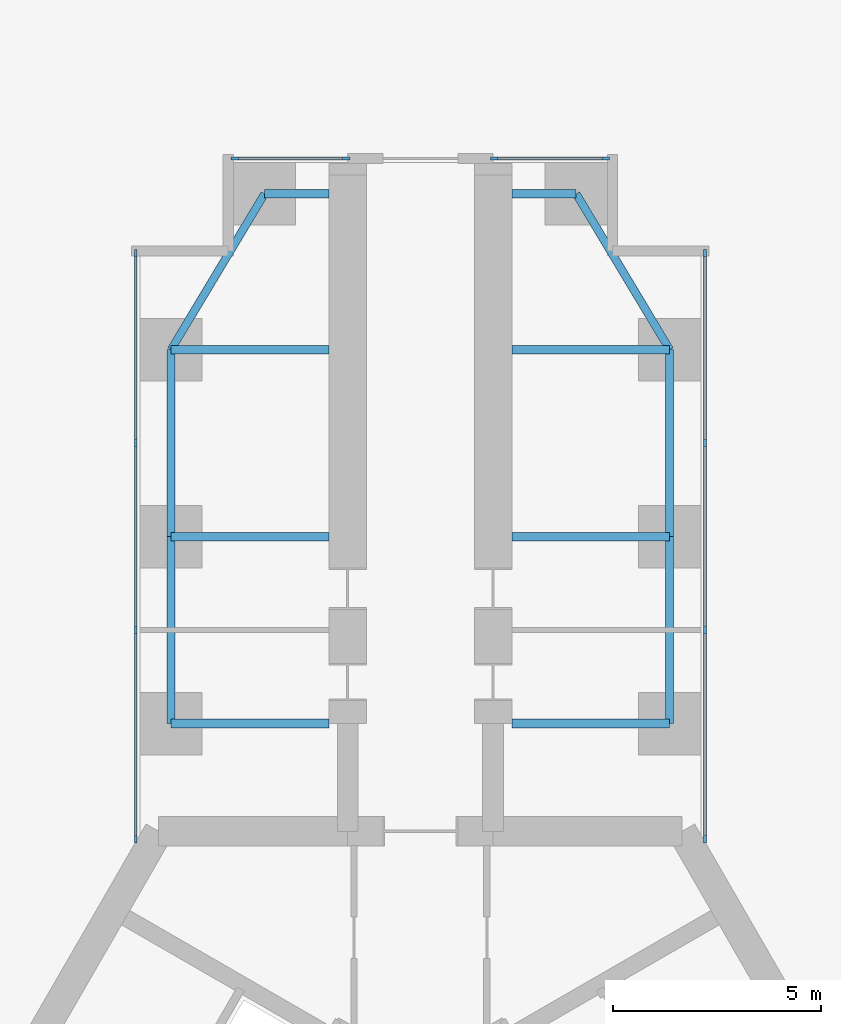
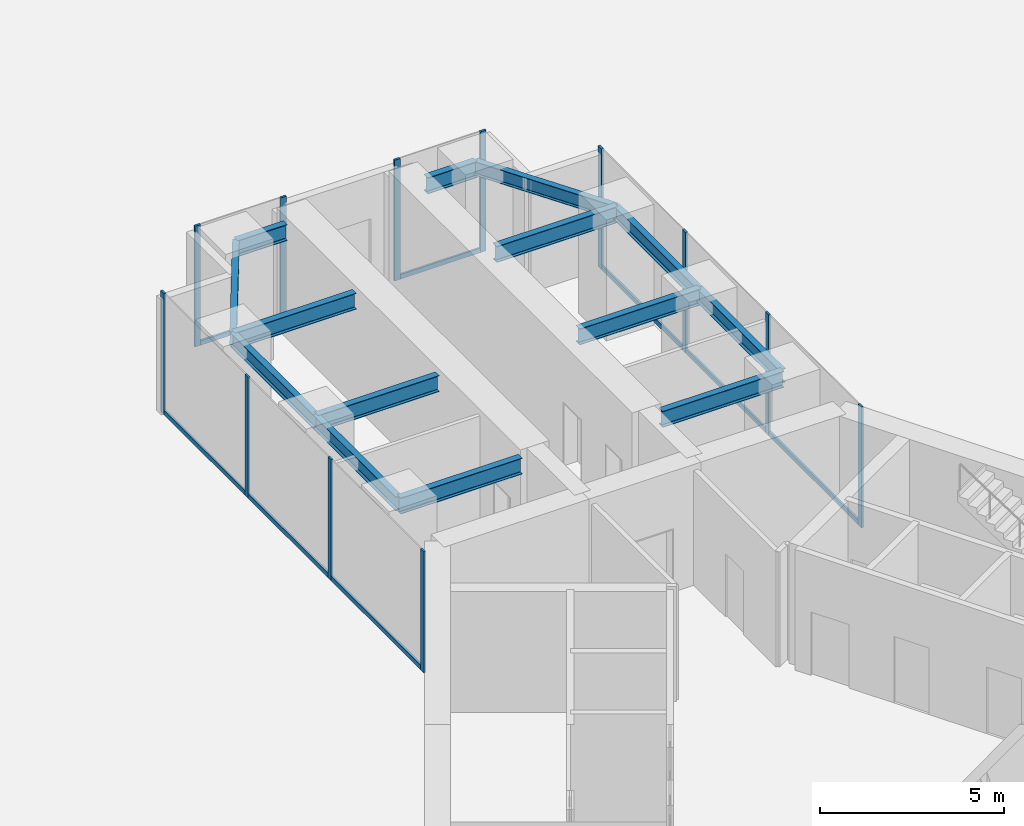
# One storey, part 9 of 23: 20 members, 14 beams, 4 elements without a shape of their own.
"""IFC4 building model written with IfcOpenShell, lengths in metres."""

from ifc_helpers import new_model, si_unit, direction, frame, origin, origin_2d, place, context, subcontext, project, spatial, rectangle, i_section, extrude, material, material_profile, profile_set, type_object, element, aggregate, save


model = new_model("IFC4")

# Units and contexts
model_context = context("Model", 3, precision=1e-05, world=origin(), true_north=direction((0.0, 1.0)))
body_context = subcontext(model_context, "Body", "Model", "MODEL_VIEW")
ifc_project = project(units=[si_unit("LENGTHUNIT", "METRE"), si_unit("AREAUNIT", "SQUARE_METRE"), si_unit("VOLUMEUNIT", "CUBIC_METRE"), si_unit("PLANEANGLEUNIT", "RADIAN"), si_unit("MASSUNIT", "GRAM", prefix="KILO")], contexts=[model_context])

# Site, building, storey
site_placement = place(None, origin())
site = spatial("IfcSite", under=ifc_project, at=site_placement, CompositionType="ELEMENT")
building_placement = place(site_placement, origin())
building = spatial("IfcBuilding", under=site, at=building_placement, Name="Upepo Twin Towers", CompositionType="ELEMENT")
storey_placement = place(building_placement, frame((0.0, 0.0, 20.5)))
storey = spatial("IfcBuildingStorey", under=building, at=storey_placement, Name="L04", CompositionType="ELEMENT", Elevation=20.5)

# Beams
ifc_material_1 = material(Name="Steel S355", Category="steel")
ifc_material_profile_1 = material_profile(ifc_material_1, i_section(OverallWidth=0.1904296875, OverallDepth=0.45703125, WebThickness=0.009033203125, FlangeThickness=0.014404296875, FilletRadius=0.01025390625, at=origin_2d()), Name="UB 457x191x74")
ifc_profile_set_1 = profile_set([ifc_material_profile_1], Name="Steel S355")
beam_type_1 = type_object("IfcBeamType", Name="Beam UB 457x191x74", PredefinedType="BEAM", material=ifc_profile_set_1)
for number, where, z_axis, x_axis, name in (
    (1, (52.5, -4.5, 3.571533203125), (0.0, 1.0, 0.0), (-1.0, 0.0, 0.0), "T2 edge beam AL 13.5-18.0"),
    (2, (52.5, 0.0, 3.571533203125), (0.0, 1.0, 0.0), (-1.0, 0.0, 0.0), "T2 edge beam AL 18.0-22.5"),
):
    element("IfcBeam", number, at=place(storey_placement, frame(where, z_axis=z_axis, x_axis=x_axis)), inside=storey, type_object=beam_type_1, Name=name, PredefinedType="BEAM", context=body_context, shape_type="SweptSolid", body=[
        extrude(i_section(OverallWidth=0.1904296875, OverallDepth=0.45703125, WebThickness=0.009033203125, FlangeThickness=0.014404296875, FilletRadius=0.01025390625, at=origin_2d()), origin(), (0.0, 0.0, 1.0), 4.5),
    ])
beam_1_placement = place(storey_placement, frame((52.5, 4.5, 3.571533203125), z_axis=(0.514495755428, 0.857492925713, 0.0), x_axis=(-0.857492925713, 0.514495755428, 0.0)))
element("IfcBeam", 3, at=beam_1_placement, inside=storey, type_object=beam_type_1, Name="T2 nose edge beam AL", PredefinedType="BEAM", context=body_context, shape_type="SweptSolid", body=[
    extrude(i_section(OverallWidth=0.1904296875, OverallDepth=0.45703125, WebThickness=0.009033203125, FlangeThickness=0.014404296875, FilletRadius=0.01025390625, at=origin_2d()), origin(), (0.0, 0.0, 1.0), 4.373291015625),
])
for number, where, z_axis, x_axis, name in (
    (4, (64.5, -4.5, 3.571533203125), (0.0, 1.0, 0.0), (-1.0, 0.0, 0.0), "T2 edge beam AR 13.5-18.0"),
    (5, (64.5, 0.0, 3.571533203125), (0.0, 1.0, 0.0), (-1.0, 0.0, 0.0), "T2 edge beam AR 18.0-22.5"),
):
    element("IfcBeam", number, at=place(storey_placement, frame(where, z_axis=z_axis, x_axis=x_axis)), inside=storey, type_object=beam_type_1, Name=name, PredefinedType="BEAM", context=body_context, shape_type="SweptSolid", body=[
        extrude(i_section(OverallWidth=0.1904296875, OverallDepth=0.45703125, WebThickness=0.009033203125, FlangeThickness=0.014404296875, FilletRadius=0.01025390625, at=origin_2d()), origin(), (0.0, 0.0, 1.0), 4.5),
    ])
beam_2_placement = place(storey_placement, frame((64.5, 4.5, 3.571533203125), z_axis=(-0.514495755428, 0.857492925713, 0.0), x_axis=(-0.857492925713, -0.514495755428, 0.0)))
element("IfcBeam", 6, at=beam_2_placement, inside=storey, type_object=beam_type_1, Name="T2 nose edge beam AR", PredefinedType="BEAM", context=body_context, shape_type="SweptSolid", body=[
    extrude(i_section(OverallWidth=0.1904296875, OverallDepth=0.45703125, WebThickness=0.009033203125, FlangeThickness=0.014404296875, FilletRadius=0.01025390625, at=origin_2d()), origin(), (0.0, 0.0, 1.0), 4.373291015625),
])
ifc_material_2 = material(Name="Steel S355", Category="steel")
ifc_material_profile_2 = material_profile(ifc_material_2, i_section(OverallWidth=0.2099609375, OverallDepth=0.53662109375, WebThickness=0.0107421875, FlangeThickness=0.017333984375, FilletRadius=0.0126953125, at=origin_2d()), Name="UB 533x210x101")
ifc_profile_set_2 = profile_set([ifc_material_profile_2], Name="Steel S355")
beam_type_2 = type_object("IfcBeamType", Name="Beam UB 533x210x101", PredefinedType="BEAM", material=ifc_profile_set_2)
for number, where, z_axis, x_axis, name in (
    (7, (54.75, 8.25, 3.53173828125), (1.0, 0.0, 0.0), (0.0, 1.0, 0.0), "T2 nose beam AL"),
    (8, (62.25, 8.25, 3.53173828125), (-1.0, 0.0, 0.0), (0.0, -1.0, 0.0), "T2 nose beam AR"),
):
    element("IfcBeam", number, at=place(storey_placement, frame(where, z_axis=z_axis, x_axis=x_axis)), inside=storey, type_object=beam_type_2, Name=name, PredefinedType="BEAM", context=body_context, shape_type="SweptSolid", body=[
        extrude(i_section(OverallWidth=0.2099609375, OverallDepth=0.53662109375, WebThickness=0.0107421875, FlangeThickness=0.017333984375, FilletRadius=0.0126953125, at=origin_2d()), origin(), (0.0, 0.0, 1.0), 1.550048828125),
    ])
ifc_material_3 = material(Name="Steel S355", Category="steel")
ifc_material_profile_3 = material_profile(ifc_material_3, i_section(OverallWidth=0.209228515625, OverallDepth=0.533203125, WebThickness=0.010009765625, FlangeThickness=0.015625, FilletRadius=0.0126953125, at=origin_2d()), Name="UB 533x210x92")
ifc_profile_set_3 = profile_set([ifc_material_profile_3], Name="Steel S355")
beam_type_3 = type_object("IfcBeamType", Name="Beam UB 533x210x92", PredefinedType="BEAM", material=ifc_profile_set_3)
for number, where, z_axis, x_axis, name in (
    (9, (52.5, -4.5, 3.533447265625), (1.0, 0.0, 0.0), (0.0, 1.0, 0.0), "T2 girder AL at 13.5"),
    (10, (52.5, 0.0, 3.533447265625), (1.0, 0.0, 0.0), (0.0, 1.0, 0.0), "T2 girder AL at 18.0"),
    (11, (52.5, 4.5, 3.533447265625), (1.0, 0.0, 0.0), (0.0, 1.0, 0.0), "T2 girder AL at 22.5"),
    (12, (64.5, -4.5, 3.533447265625), (-1.0, 0.0, 0.0), (0.0, -1.0, 0.0), "T2 girder AR at 13.5"),
    (13, (64.5, 0.0, 3.533447265625), (-1.0, 0.0, 0.0), (0.0, -1.0, 0.0), "T2 girder AR at 18.0"),
    (14, (64.5, 4.5, 3.533447265625), (-1.0, 0.0, 0.0), (0.0, -1.0, 0.0), "T2 girder AR at 22.5"),
):
    element("IfcBeam", number, at=place(storey_placement, frame(where, z_axis=z_axis, x_axis=x_axis)), inside=storey, type_object=beam_type_3, Name=name, PredefinedType="BEAM", context=body_context, shape_type="SweptSolid", body=[
        extrude(i_section(OverallWidth=0.209228515625, OverallDepth=0.533203125, WebThickness=0.010009765625, FlangeThickness=0.015625, FilletRadius=0.0126953125, at=origin_2d()), origin(), (0.0, 0.0, 1.0), 3.800048828125),
    ])

# Curtain wall, members
ifc_material_4 = material(Name="Aluminium and fritted glass", Category="aluminium")
curtain_wall_type = type_object("IfcCurtainWallType", Name="Tower curtain wall TW1, fritted glass", PredefinedType="NOTDEFINED", material=ifc_material_4)
curtain_wall_1_placement = place(storey_placement, origin())
curtain_wall_1 = element("IfcCurtainWall", 15, at=curtain_wall_1_placement, inside=storey, type_object=curtain_wall_type, Name="T2 L04 wing A flank L curtain wall", PredefinedType="NOTDEFINED")
ifc_material_5 = material(Name="Aluminium mullion", Category="aluminium")
ifc_material_profile_4 = material_profile(ifc_material_5, rectangle(XDim=0.06494140625, YDim=0.179931640625, at=origin_2d()), Name="MULLION 65x180")
ifc_profile_set_4 = profile_set([ifc_material_profile_4], Name="Aluminium mullion")
member_type_1 = type_object("IfcMemberType", Name="Mullion 65x180 TW1", PredefinedType="MULLION", material=ifc_profile_set_4)
member_1_placement = place(storey_placement, frame((51.64990234375, -7.2802734375, 0.0), z_axis=(0.0, 0.0, 1.0), x_axis=(-1.0, 0.0, 0.0)))
member_1 = element("IfcMember", 16, at=member_1_placement, type_object=member_type_1, Name="T2 L04 wing A flank L curtain wall mullion 1", PredefinedType="MULLION", context=body_context, shape_type="SweptSolid", body=[
    extrude(rectangle(XDim=0.06494140625, YDim=0.179931640625, at=origin_2d()), origin(), (0.0, 0.0, 1.0), 4.0),
])
member_2_placement = place(storey_placement, frame((51.64990234375, -2.25, 0.0), z_axis=(0.0, 0.0, 1.0), x_axis=(-1.0, 0.0, 0.0)))
member_2 = element("IfcMember", 17, at=member_2_placement, type_object=member_type_1, Name="T2 L04 wing A flank L curtain wall mullion 2", PredefinedType="MULLION", context=body_context, shape_type="SweptSolid", body=[
    extrude(rectangle(XDim=0.06494140625, YDim=0.179931640625, at=origin_2d()), origin(), (0.0, 0.0, 1.0), 4.0),
])
member_3_placement = place(storey_placement, frame((51.64990234375, 2.25, 0.0), z_axis=(0.0, 0.0, 1.0), x_axis=(-1.0, 0.0, 0.0)))
member_3 = element("IfcMember", 18, at=member_3_placement, type_object=member_type_1, Name="T2 L04 wing A flank L curtain wall mullion 3", PredefinedType="MULLION", context=body_context, shape_type="SweptSolid", body=[
    extrude(rectangle(XDim=0.06494140625, YDim=0.179931640625, at=origin_2d()), origin(), (0.0, 0.0, 1.0), 4.0),
])
member_4_placement = place(storey_placement, frame((51.64990234375, 6.8173828125, 0.0), z_axis=(0.0, 0.0, 1.0), x_axis=(-1.0, 0.0, 0.0)))
member_4 = element("IfcMember", 19, at=member_4_placement, type_object=member_type_1, Name="T2 L04 wing A flank L curtain wall mullion 4", PredefinedType="MULLION", context=body_context, shape_type="SweptSolid", body=[
    extrude(rectangle(XDim=0.06494140625, YDim=0.179931640625, at=origin_2d()), origin(), (0.0, 0.0, 1.0), 4.0),
])

curtain_wall_2_placement = place(storey_placement, origin())
curtain_wall_2 = element("IfcCurtainWall", 20, at=curtain_wall_2_placement, inside=storey, type_object=curtain_wall_type, Name="T2 L04 wing A flank R curtain wall", PredefinedType="NOTDEFINED")
member_5_placement = place(storey_placement, frame((65.35009765625, 6.8173828125, 0.0), z_axis=(0.0, 0.0, 1.0), x_axis=(1.0, 0.0, 0.0)))
member_5 = element("IfcMember", 21, at=member_5_placement, type_object=member_type_1, Name="T2 L04 wing A flank R curtain wall mullion 1", PredefinedType="MULLION", context=body_context, shape_type="SweptSolid", body=[
    extrude(rectangle(XDim=0.06494140625, YDim=0.179931640625, at=origin_2d()), origin(), (0.0, 0.0, 1.0), 4.0),
])
member_6_placement = place(storey_placement, frame((65.35009765625, 2.25, 0.0), z_axis=(0.0, 0.0, 1.0), x_axis=(1.0, 0.0, 0.0)))
member_6 = element("IfcMember", 22, at=member_6_placement, type_object=member_type_1, Name="T2 L04 wing A flank R curtain wall mullion 2", PredefinedType="MULLION", context=body_context, shape_type="SweptSolid", body=[
    extrude(rectangle(XDim=0.06494140625, YDim=0.179931640625, at=origin_2d()), origin(), (0.0, 0.0, 1.0), 4.0),
])
member_7_placement = place(storey_placement, frame((65.35009765625, -2.25, 0.0), z_axis=(0.0, 0.0, 1.0), x_axis=(1.0, 0.0, 0.0)))
member_7 = element("IfcMember", 23, at=member_7_placement, type_object=member_type_1, Name="T2 L04 wing A flank R curtain wall mullion 3", PredefinedType="MULLION", context=body_context, shape_type="SweptSolid", body=[
    extrude(rectangle(XDim=0.06494140625, YDim=0.179931640625, at=origin_2d()), origin(), (0.0, 0.0, 1.0), 4.0),
])
member_8_placement = place(storey_placement, frame((65.35009765625, -7.2802734375, 0.0), z_axis=(0.0, 0.0, 1.0), x_axis=(1.0, 0.0, 0.0)))
member_8 = element("IfcMember", 24, at=member_8_placement, type_object=member_type_1, Name="T2 L04 wing A flank R curtain wall mullion 4", PredefinedType="MULLION", context=body_context, shape_type="SweptSolid", body=[
    extrude(rectangle(XDim=0.06494140625, YDim=0.179931640625, at=origin_2d()), origin(), (0.0, 0.0, 1.0), 4.0),
])

curtain_wall_3_placement = place(storey_placement, origin())
curtain_wall_3 = element("IfcCurtainWall", 25, at=curtain_wall_3_placement, inside=storey, type_object=curtain_wall_type, Name="T2 L04 wing A nose curtain wall 0", PredefinedType="NOTDEFINED")
member_9_placement = place(storey_placement, frame((62.967529296875, 9.10009765625, 0.0), z_axis=(0.0, 0.0, 1.0), x_axis=(0.0, -1.0, 0.0)))
member_9 = element("IfcMember", 26, at=member_9_placement, type_object=member_type_1, Name="T2 L04 wing A nose curtain wall 0 mullion 1", PredefinedType="MULLION", context=body_context, shape_type="SweptSolid", body=[
    extrude(rectangle(XDim=0.06494140625, YDim=0.179931640625, at=origin_2d()), origin(), (0.0, 0.0, 1.0), 4.0),
])
member_10_placement = place(storey_placement, frame((60.282470703125, 9.10009765625, 0.0), z_axis=(0.0, 0.0, 1.0), x_axis=(0.0, -1.0, 0.0)))
member_10 = element("IfcMember", 27, at=member_10_placement, type_object=member_type_1, Name="T2 L04 wing A nose curtain wall 0 mullion 2", PredefinedType="MULLION", context=body_context, shape_type="SweptSolid", body=[
    extrude(rectangle(XDim=0.06494140625, YDim=0.179931640625, at=origin_2d()), origin(), (0.0, 0.0, 1.0), 4.0),
])

curtain_wall_4_placement = place(storey_placement, origin())
curtain_wall_4 = element("IfcCurtainWall", 28, at=curtain_wall_4_placement, inside=storey, type_object=curtain_wall_type, Name="T2 L04 wing A nose curtain wall 2", PredefinedType="NOTDEFINED")
member_11_placement = place(storey_placement, frame((56.717529296875, 9.10009765625, 0.0), z_axis=(0.0, 0.0, 1.0), x_axis=(0.0, -1.0, 0.0)))
member_11 = element("IfcMember", 29, at=member_11_placement, type_object=member_type_1, Name="T2 L04 wing A nose curtain wall 2 mullion 1", PredefinedType="MULLION", context=body_context, shape_type="SweptSolid", body=[
    extrude(rectangle(XDim=0.06494140625, YDim=0.179931640625, at=origin_2d()), origin(), (0.0, 0.0, 1.0), 4.0),
])
member_12_placement = place(storey_placement, frame((54.032470703125, 9.10009765625, 0.0), z_axis=(0.0, 0.0, 1.0), x_axis=(0.0, -1.0, 0.0)))
member_12 = element("IfcMember", 30, at=member_12_placement, type_object=member_type_1, Name="T2 L04 wing A nose curtain wall 2 mullion 2", PredefinedType="MULLION", context=body_context, shape_type="SweptSolid", body=[
    extrude(rectangle(XDim=0.06494140625, YDim=0.179931640625, at=origin_2d()), origin(), (0.0, 0.0, 1.0), 4.0),
])

# Member
ifc_material_6 = material(Name="Aluminium transom", Category="aluminium")
ifc_material_profile_5 = material_profile(ifc_material_6, rectangle(XDim=0.06494140625, YDim=0.14990234375, at=origin_2d()), Name="TRANSOM 65x150")
ifc_profile_set_5 = profile_set([ifc_material_profile_5], Name="Aluminium transom")
member_type_2 = type_object("IfcMemberType", Name="Transom 65x150 TW1", PredefinedType="USERDEFINED", material=ifc_profile_set_5)
member_13_placement = place(storey_placement, frame((51.64990234375, -7.247802734375, 0.074951171875), z_axis=(0.0, 1.0, 0.0), x_axis=(-1.0, 0.0, 0.0)))
member_13 = element("IfcMember", 31, at=member_13_placement, type_object=member_type_2, Name="T2 L04 wing A flank L curtain wall transom 1", ObjectType="TRANSOM", PredefinedType="USERDEFINED", context=body_context, shape_type="SweptSolid", body=[
    extrude(rectangle(XDim=0.06494140625, YDim=0.14990234375, at=origin_2d()), origin(), (0.0, 0.0, 1.0), 4.96533203125),
])

member_14_placement = place(storey_placement, frame((51.64990234375, -2.217529296875, 0.074951171875), z_axis=(0.0, 1.0, 0.0), x_axis=(-1.0, 0.0, 0.0)))
member_14 = element("IfcMember", 32, at=member_14_placement, type_object=member_type_2, Name="T2 L04 wing A flank L curtain wall transom 2", ObjectType="TRANSOM", PredefinedType="USERDEFINED", context=body_context, shape_type="SweptSolid", body=[
    extrude(rectangle(XDim=0.06494140625, YDim=0.14990234375, at=origin_2d()), origin(), (0.0, 0.0, 1.0), 4.43505859375),
])

member_15_placement = place(storey_placement, frame((51.64990234375, 2.282470703125, 0.074951171875), z_axis=(0.0, 1.0, 0.0), x_axis=(-1.0, 0.0, 0.0)))
member_15 = element("IfcMember", 33, at=member_15_placement, type_object=member_type_2, Name="T2 L04 wing A flank L curtain wall transom 3", ObjectType="TRANSOM", PredefinedType="USERDEFINED", context=body_context, shape_type="SweptSolid", body=[
    extrude(rectangle(XDim=0.06494140625, YDim=0.14990234375, at=origin_2d()), origin(), (0.0, 0.0, 1.0), 4.50244140625),
])

aggregate(curtain_wall_1, [member_1, member_2, member_3, member_4, member_13, member_14, member_15])

member_16_placement = place(storey_placement, frame((65.35009765625, 6.784912109375, 0.074951171875), z_axis=(0.0, -1.0, 0.0), x_axis=(1.0, 0.0, 0.0)))
member_16 = element("IfcMember", 34, at=member_16_placement, type_object=member_type_2, Name="T2 L04 wing A flank R curtain wall transom 1", ObjectType="TRANSOM", PredefinedType="USERDEFINED", context=body_context, shape_type="SweptSolid", body=[
    extrude(rectangle(XDim=0.06494140625, YDim=0.14990234375, at=origin_2d()), origin(), (0.0, 0.0, 1.0), 4.50244140625),
])

member_17_placement = place(storey_placement, frame((65.35009765625, 2.217529296875, 0.074951171875), z_axis=(0.0, -1.0, 0.0), x_axis=(1.0, 0.0, 0.0)))
member_17 = element("IfcMember", 35, at=member_17_placement, type_object=member_type_2, Name="T2 L04 wing A flank R curtain wall transom 2", ObjectType="TRANSOM", PredefinedType="USERDEFINED", context=body_context, shape_type="SweptSolid", body=[
    extrude(rectangle(XDim=0.06494140625, YDim=0.14990234375, at=origin_2d()), origin(), (0.0, 0.0, 1.0), 4.43505859375),
])

member_18_placement = place(storey_placement, frame((65.35009765625, -2.282470703125, 0.074951171875), z_axis=(0.0, -1.0, 0.0), x_axis=(1.0, 0.0, 0.0)))
member_18 = element("IfcMember", 36, at=member_18_placement, type_object=member_type_2, Name="T2 L04 wing A flank R curtain wall transom 3", ObjectType="TRANSOM", PredefinedType="USERDEFINED", context=body_context, shape_type="SweptSolid", body=[
    extrude(rectangle(XDim=0.06494140625, YDim=0.14990234375, at=origin_2d()), origin(), (0.0, 0.0, 1.0), 4.96533203125),
])

aggregate(curtain_wall_2, [member_5, member_6, member_7, member_8, member_16, member_17, member_18])

member_19_placement = place(storey_placement, frame((62.93505859375, 9.10009765625, 0.074951171875), z_axis=(-1.0, 0.0, 0.0), x_axis=(0.0, -1.0, 0.0)))
member_19 = element("IfcMember", 37, at=member_19_placement, type_object=member_type_2, Name="T2 L04 wing A nose curtain wall 0 transom 1", ObjectType="TRANSOM", PredefinedType="USERDEFINED", context=body_context, shape_type="SweptSolid", body=[
    extrude(rectangle(XDim=0.06494140625, YDim=0.14990234375, at=origin_2d()), origin(), (0.0, 0.0, 1.0), 2.6201171875),
])

aggregate(curtain_wall_3, [member_9, member_10, member_19])

member_20_placement = place(storey_placement, frame((56.68505859375, 9.10009765625, 0.074951171875), z_axis=(-1.0, 0.0, 0.0), x_axis=(0.0, -1.0, 0.0)))
member_20 = element("IfcMember", 38, at=member_20_placement, type_object=member_type_2, Name="T2 L04 wing A nose curtain wall 2 transom 1", ObjectType="TRANSOM", PredefinedType="USERDEFINED", context=body_context, shape_type="SweptSolid", body=[
    extrude(rectangle(XDim=0.06494140625, YDim=0.14990234375, at=origin_2d()), origin(), (0.0, 0.0, 1.0), 2.6201171875),
])

aggregate(curtain_wall_4, [member_11, member_12, member_20])

save(model, "model.ifc")
